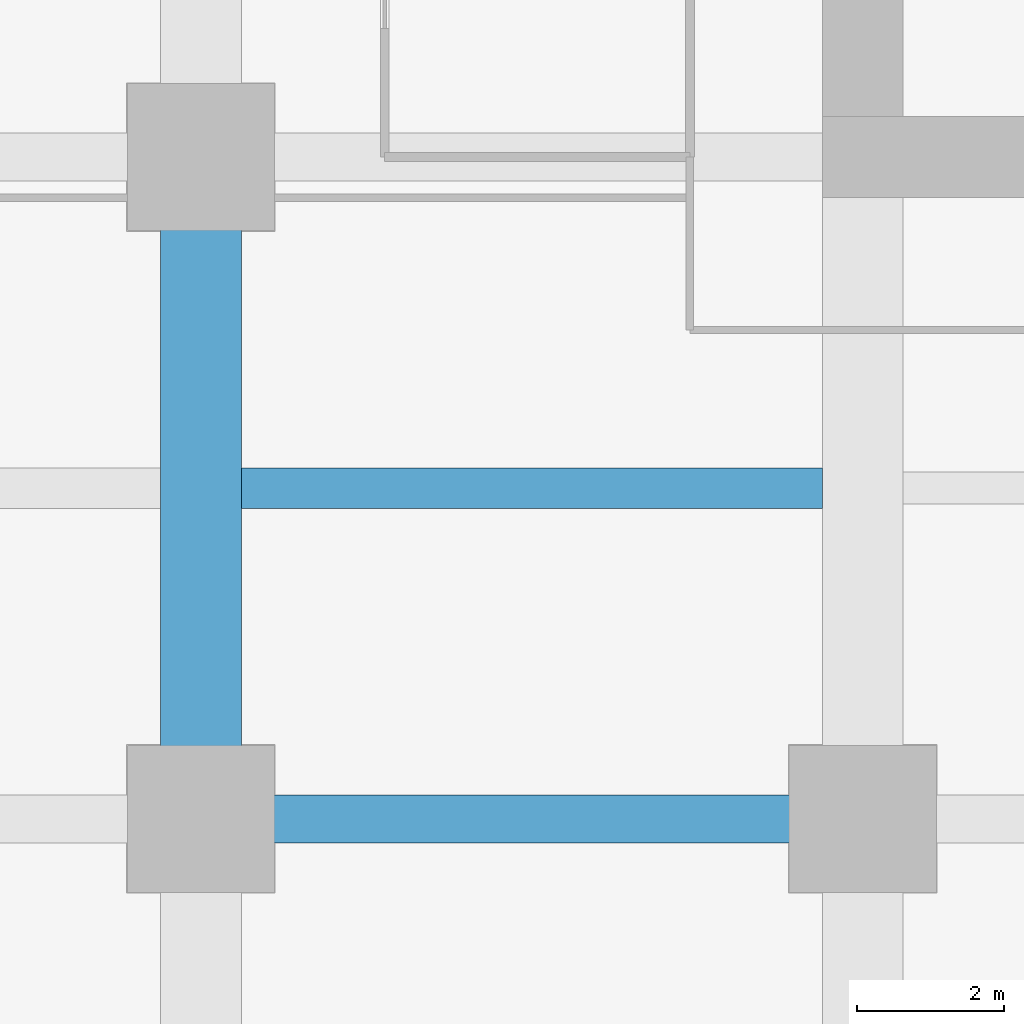
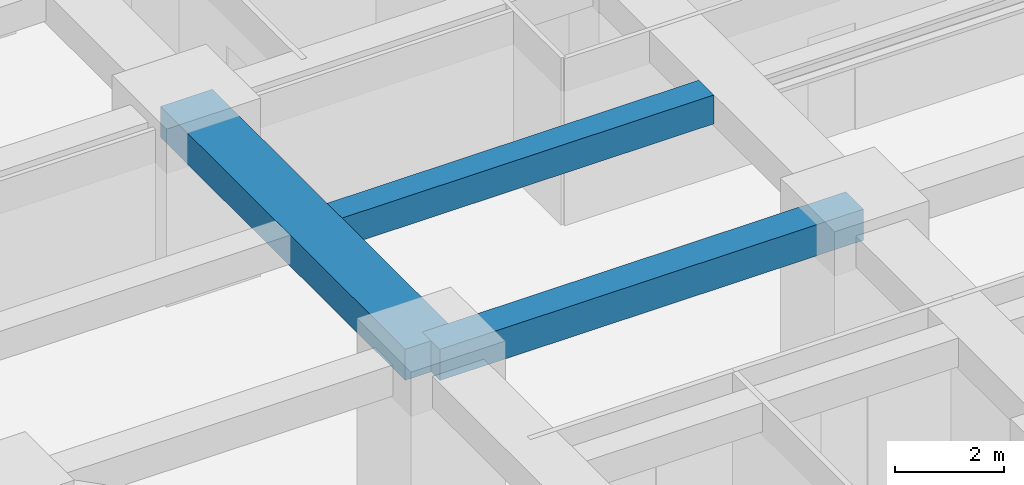
# One storey, part 5 of 41: 3 beams.
"""IFC4 building model written with IfcOpenShell, lengths in metres."""

from ifc_helpers import new_model, si_unit, direction, frame, origin, origin_2d, place, context, subcontext, project, spatial, rectangle, extrude, material, material_profile, profile_set, type_object, element, save


model = new_model("IFC4")

# Units and contexts
model_context = context("Model", 3, precision=1e-05, world=origin(), true_north=direction((0.0, 1.0)))
body_context = subcontext(model_context, "Body", "Model", "MODEL_VIEW")
ifc_project = project(units=[si_unit("LENGTHUNIT", "METRE"), si_unit("AREAUNIT", "SQUARE_METRE"), si_unit("VOLUMEUNIT", "CUBIC_METRE"), si_unit("PLANEANGLEUNIT", "RADIAN"), si_unit("MASSUNIT", "GRAM", prefix="KILO")], contexts=[model_context])

# Site, building, storey
site_placement = place(None, origin())
site = spatial("IfcSite", under=ifc_project, at=site_placement, CompositionType="ELEMENT")
building_placement = place(site_placement, origin())
building = spatial("IfcBuilding", under=site, at=building_placement, Name="Zorevar Civic Tower", CompositionType="ELEMENT")
storey_placement = place(building_placement, frame((0.0, 0.0, 105.0)))
storey = spatial("IfcBuildingStorey", under=building, at=storey_placement, Name="L25", CompositionType="ELEMENT", Elevation=105.0)

# Beams
ifc_material_1 = material(Name="Concrete C50/60", Category="concrete")
ifc_material_profile_1 = material_profile(ifc_material_1, rectangle(XDim=1.10009765625, YDim=0.699951171875, at=origin_2d()), Name="RC 1100x700")
ifc_profile_set_1 = profile_set([ifc_material_profile_1], Name="Concrete C50/60")
beam_type_1 = type_object("IfcBeamType", Name="Beam RC 1100x700", PredefinedType="BEAM", material=ifc_profile_set_1)
beam_1_placement = place(storey_placement, frame((9.0, 9.0, 3.39990234375), z_axis=(0.0, 1.0, 0.0), x_axis=(-1.0, 0.0, 0.0)))
element("IfcBeam", 1, at=beam_1_placement, inside=storey, type_object=beam_type_1, Name="Girder L26", PredefinedType="BEAM", context=body_context, shape_type="SweptSolid", body=[
    extrude(rectangle(XDim=1.10009765625, YDim=0.699951171875, at=origin_2d()), origin(), (0.0, 0.0, 1.0), 9.0),
])
ifc_material_2 = material(Name="Concrete C50/60", Category="concrete")
ifc_material_profile_2 = material_profile(ifc_material_2, rectangle(XDim=0.550048828125, YDim=0.64990234375, at=origin_2d()), Name="RC 550x650")
ifc_profile_set_2 = profile_set([ifc_material_profile_2], Name="Concrete C50/60")
beam_type_2 = type_object("IfcBeamType", Name="Beam RC 550x650", PredefinedType="BEAM", material=ifc_profile_set_2)
beam_2_placement = place(storey_placement, frame((9.550048828125, 13.5, 3.425048828125), z_axis=(1.0, 0.0, 0.0), x_axis=(0.0, 1.0, 0.0)))
element("IfcBeam", 2, at=beam_2_placement, inside=storey, type_object=beam_type_2, Name="Secondary beam L26", PredefinedType="BEAM", context=body_context, shape_type="SweptSolid", body=[
    extrude(rectangle(XDim=0.550048828125, YDim=0.64990234375, at=origin_2d()), origin(), (0.0, 0.0, 1.0), 7.89990234375),
])
ifc_material_3 = material(Name="Concrete C50/60", Category="concrete")
ifc_material_profile_3 = material_profile(ifc_material_3, rectangle(XDim=0.64990234375, YDim=0.699951171875, at=origin_2d()), Name="RC 650x700")
ifc_profile_set_3 = profile_set([ifc_material_profile_3], Name="Concrete C50/60")
beam_type_3 = type_object("IfcBeamType", Name="Beam RC 650x700", PredefinedType="BEAM", material=ifc_profile_set_3)
beam_3_placement = place(storey_placement, frame((9.0, 9.0, 3.39990234375), z_axis=(1.0, 0.0, 0.0), x_axis=(0.0, 1.0, 0.0)))
element("IfcBeam", 3, at=beam_3_placement, inside=storey, type_object=beam_type_3, Name="Girder L26", PredefinedType="BEAM", context=body_context, shape_type="SweptSolid", body=[
    extrude(rectangle(XDim=0.64990234375, YDim=0.699951171875, at=origin_2d()), origin(), (0.0, 0.0, 1.0), 9.0),
])

save(model, "model.ifc")
